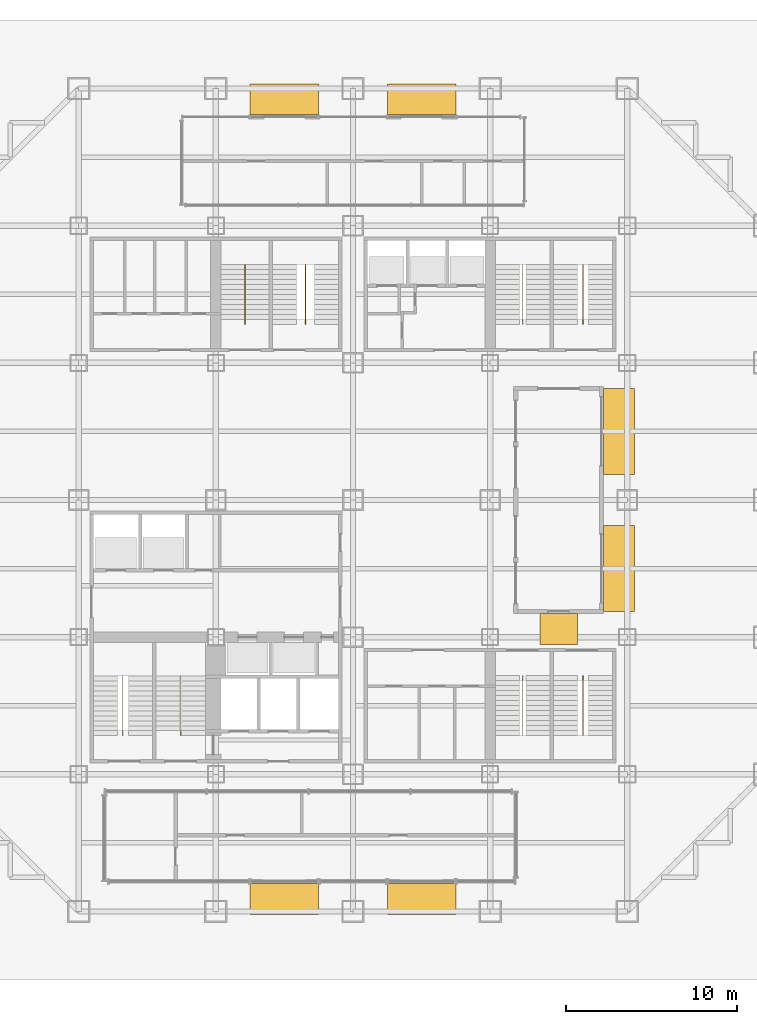
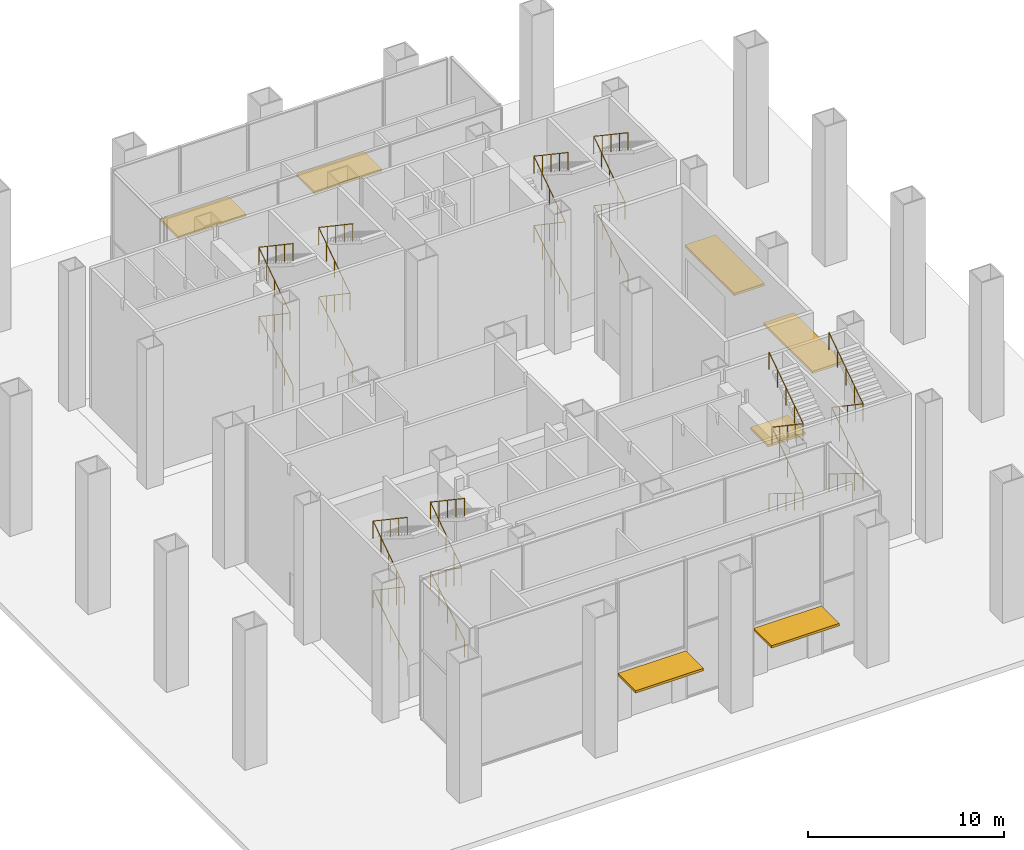
# One storey, part 13 of 14: 8 railings, 7 shading devices.
"""IFC4 building model written with IfcOpenShell, lengths in metres."""

from ifc_helpers import new_model, si_unit, direction, frame, origin, origin_2d, place, context, subcontext, project, spatial, rectangle, circle, extrude, material, layer, layer_set, type_object, element, save


model = new_model("IFC4")

# Units and contexts
model_context = context("Model", 3, precision=1e-05, world=origin(), true_north=direction((0.0, 1.0)))
body_context = subcontext(model_context, "Body", "Model", "MODEL_VIEW")
ifc_project = project(units=[si_unit("LENGTHUNIT", "METRE"), si_unit("AREAUNIT", "SQUARE_METRE"), si_unit("VOLUMEUNIT", "CUBIC_METRE"), si_unit("PLANEANGLEUNIT", "RADIAN"), si_unit("MASSUNIT", "GRAM", prefix="KILO")], contexts=[model_context])

# Site, building, storey
site_placement = place(None, origin())
site = spatial("IfcSite", under=ifc_project, at=site_placement, CompositionType="ELEMENT")
building_placement = place(site_placement, origin())
building = spatial("IfcBuilding", under=site, at=building_placement, Name="Immortelle Media Tower", CompositionType="ELEMENT")
storey_placement = place(building_placement, origin())
storey = spatial("IfcBuildingStorey", under=building, at=storey_placement, Name="G", CompositionType="ELEMENT", Elevation=0.0)

# Shading devices
ifc_material_1 = material(Name="Pale aluminium blade canopy", Category="aluminium")
ifc_layer = layer(ifc_material_1, 0.14990234375)
ifc_layer_set = layer_set([ifc_layer], Name="Pale aluminium blade canopy")
shading_device_type = type_object("IfcShadingDeviceType", Name="Entrance canopy", PredefinedType="AWNING", material=ifc_layer_set)
for number, where, z_axis, x_axis, name in (
    (1, (20.0, 0.72509765625, 2.85009765625), (0.0, 0.0, 1.0), (1.0, 0.0, 0.0), "Entrance canopy G-E01"),
    (2, (28.0, 0.72509765625, 2.85009765625), (0.0, 0.0, 1.0), (1.0, 0.0, 0.0), "Entrance canopy G-E02"),
    (3, (28.0, 47.375, 2.85009765625), (0.0, 0.0, 1.0), (1.0, 0.0, 0.0), "Entrance canopy G-E03"),
    (4, (20.0, 47.375, 2.85009765625), (0.0, 0.0, 1.0), (1.0, 0.0, 0.0), "Entrance canopy G-E04"),
):
    element("IfcShadingDevice", number, at=place(storey_placement, frame(where, z_axis=z_axis, x_axis=x_axis)), inside=storey, type_object=shading_device_type, Name=name, PredefinedType="AWNING", context=body_context, shape_type="SweptSolid", body=[
        extrude(rectangle(XDim=4.0, YDim=1.800048828125, at=origin_2d()), origin(), (0.0, 0.0, 1.0), 0.14990234375),
    ])
for number, where, z_axis, x_axis, name in (
    (5, (39.52490234375, 20.0, 4.800048828125), (0.0, 0.0, 1.0), (1.0, 0.0, 0.0), "Entrance canopy G-E05"),
    (6, (39.52490234375, 28.0, 4.800048828125), (0.0, 0.0, 1.0), (1.0, 0.0, 0.0), "Entrance canopy G-E06"),
):
    element("IfcShadingDevice", number, at=place(storey_placement, frame(where, z_axis=z_axis, x_axis=x_axis)), inside=storey, type_object=shading_device_type, Name=name, PredefinedType="AWNING", context=body_context, shape_type="SweptSolid", body=[
        extrude(rectangle(XDim=1.800048828125, YDim=5.0, at=origin_2d()), origin(), (0.0, 0.0, 1.0), 0.14990234375),
    ])
shading_device_placement = place(storey_placement, frame((36.0, 16.47509765625, 2.699951171875), z_axis=(0.0, 0.0, 1.0), x_axis=(1.0, 0.0, 0.0)))
element("IfcShadingDevice", 7, at=shading_device_placement, inside=storey, type_object=shading_device_type, Name="Entrance canopy G-E07", PredefinedType="AWNING", context=body_context, shape_type="SweptSolid", body=[
    extrude(rectangle(XDim=2.199951171875, YDim=1.800048828125, at=origin_2d()), origin(), (0.0, 0.0, 1.0), 0.14990234375),
])

# Railings
ifc_material_2 = material(Name="Stainless steel AISI 316", Category="steel")
railing_type = type_object("IfcRailingType", Name="Stair guard 1100", PredefinedType="GUARDRAIL", material=ifc_material_2)
railing_1_placement = place(storey_placement, frame((10.574951171875, 10.25, 0.179931640625)))
element("IfcRailing", 8, at=railing_1_placement, inside=storey, type_object=railing_type, Name="Stair guard SW1", PredefinedType="GUARDRAIL", context=body_context, shape_type="SweptSolid", body=[
    extrude(circle(Radius=0.02392578125, at=origin_2d()), frame((0.0, 0.0, 1.076171875), z_axis=(0.0, 0.849621746706, 0.527392536471), x_axis=(-1.0, 0.0, 0.0)), (0.0, 0.0, 1.0), 4.095947265625),
    extrude(circle(Radius=0.02392578125, at=origin_2d()), frame((0.0, 3.47998046875, 3.236328125), z_axis=(0.0, -0.828041123984, 0.56066736751), x_axis=(1.0, 0.0, 0.0)), (0.0, 0.0, 1.0), 3.852294921875),
    extrude(circle(Radius=0.02392578125, at=origin_2d()), frame((0.0, 0.2900390625, 5.39599609375), z_axis=(0.0, 0.828041123984, 0.56066736751), x_axis=(-1.0, 0.0, 0.0)), (0.0, 0.0, 1.0), 3.852294921875),
    extrude(circle(Radius=0.02392578125, at=origin_2d()), frame((0.0, 3.47998046875, 7.55615234375), z_axis=(0.0, -0.829831414294, 0.558014178898), x_axis=(1.0, 0.0, 0.0)), (0.0, 0.0, 1.0), 4.193603515625),
    extrude(circle(Radius=0.02099609375, at=origin_2d()), origin(), (0.0, 0.0, 1.0), 1.052001953125),
    extrude(circle(Radius=0.02099609375, at=origin_2d()), frame((0.0, 0.8701171875, 0.5400390625)), (0.0, 0.0, 1.0), 1.052001953125),
    extrude(circle(Radius=0.02099609375, at=origin_2d()), frame((0.0, 1.739990234375, 1.080078125)), (0.0, 0.0, 1.0), 1.052001953125),
    extrude(circle(Radius=0.02099609375, at=origin_2d()), frame((0.0, 2.60986328125, 1.6201171875)), (0.0, 0.0, 1.0), 1.052001953125),
    extrude(circle(Radius=0.02099609375, at=origin_2d()), frame((0.0, 3.47998046875, 2.16015625)), (0.0, 0.0, 1.0), 1.052001953125),
    extrude(circle(Radius=0.02099609375, at=origin_2d()), frame((0.0, 2.6826171875, 2.7001953125)), (0.0, 0.0, 1.0), 1.052001953125),
    extrude(circle(Radius=0.02099609375, at=origin_2d()), frame((0.0, 1.885009765625, 3.240234375)), (0.0, 0.0, 1.0), 1.052001953125),
    extrude(circle(Radius=0.02099609375, at=origin_2d()), frame((0.0, 1.08740234375, 3.780029296875)), (0.0, 0.0, 1.0), 1.052001953125),
    extrude(circle(Radius=0.02099609375, at=origin_2d()), frame((0.0, 0.2900390625, 4.320068359375)), (0.0, 0.0, 1.0), 1.052001953125),
    extrude(circle(Radius=0.02099609375, at=origin_2d()), frame((0.0, 1.08740234375, 4.860107421875)), (0.0, 0.0, 1.0), 1.052001953125),
    extrude(circle(Radius=0.02099609375, at=origin_2d()), frame((0.0, 1.885009765625, 5.39990234375)), (0.0, 0.0, 1.0), 1.052001953125),
    extrude(circle(Radius=0.02099609375, at=origin_2d()), frame((0.0, 2.6826171875, 5.93994140625)), (0.0, 0.0, 1.0), 1.052001953125),
    extrude(circle(Radius=0.02099609375, at=origin_2d()), frame((0.0, 3.47998046875, 6.47998046875)), (0.0, 0.0, 1.0), 1.052001953125),
    extrude(circle(Radius=0.02099609375, at=origin_2d()), frame((0.0, 2.60986328125, 7.06494140625)), (0.0, 0.0, 1.0), 1.052001953125),
    extrude(circle(Radius=0.02099609375, at=origin_2d()), frame((0.0, 1.739990234375, 7.64990234375)), (0.0, 0.0, 1.0), 1.052001953125),
    extrude(circle(Radius=0.02099609375, at=origin_2d()), frame((0.0, 0.8701171875, 8.235107421875)), (0.0, 0.0, 1.0), 1.052001953125),
    extrude(circle(Radius=0.02099609375, at=origin_2d()), frame((0.0, 0.0, 8.820068359375)), (0.0, 0.0, 1.0), 1.052001953125),
])
railing_2_placement = place(storey_placement, frame((13.949951171875, 10.25, 0.179931640625)))
element("IfcRailing", 9, at=railing_2_placement, inside=storey, type_object=railing_type, Name="Stair guard SW2", PredefinedType="GUARDRAIL", context=body_context, shape_type="SweptSolid", body=[
    extrude(circle(Radius=0.02392578125, at=origin_2d()), frame((0.0, 0.0, 1.076171875), z_axis=(0.0, 0.849621746706, 0.527392536471), x_axis=(-1.0, 0.0, 0.0)), (0.0, 0.0, 1.0), 4.095947265625),
    extrude(circle(Radius=0.02392578125, at=origin_2d()), frame((0.0, 3.47998046875, 3.236328125), z_axis=(0.0, -0.828041123984, 0.56066736751), x_axis=(1.0, 0.0, 0.0)), (0.0, 0.0, 1.0), 3.852294921875),
    extrude(circle(Radius=0.02392578125, at=origin_2d()), frame((0.0, 0.2900390625, 5.39599609375), z_axis=(0.0, 0.828041123984, 0.56066736751), x_axis=(-1.0, 0.0, 0.0)), (0.0, 0.0, 1.0), 3.852294921875),
    extrude(circle(Radius=0.02392578125, at=origin_2d()), frame((0.0, 3.47998046875, 7.55615234375), z_axis=(0.0, -0.829831414294, 0.558014178898), x_axis=(1.0, 0.0, 0.0)), (0.0, 0.0, 1.0), 4.193603515625),
    extrude(circle(Radius=0.02099609375, at=origin_2d()), origin(), (0.0, 0.0, 1.0), 1.052001953125),
    extrude(circle(Radius=0.02099609375, at=origin_2d()), frame((0.0, 0.8701171875, 0.5400390625)), (0.0, 0.0, 1.0), 1.052001953125),
    extrude(circle(Radius=0.02099609375, at=origin_2d()), frame((0.0, 1.739990234375, 1.080078125)), (0.0, 0.0, 1.0), 1.052001953125),
    extrude(circle(Radius=0.02099609375, at=origin_2d()), frame((0.0, 2.60986328125, 1.6201171875)), (0.0, 0.0, 1.0), 1.052001953125),
    extrude(circle(Radius=0.02099609375, at=origin_2d()), frame((0.0, 3.47998046875, 2.16015625)), (0.0, 0.0, 1.0), 1.052001953125),
    extrude(circle(Radius=0.02099609375, at=origin_2d()), frame((0.0, 2.6826171875, 2.7001953125)), (0.0, 0.0, 1.0), 1.052001953125),
    extrude(circle(Radius=0.02099609375, at=origin_2d()), frame((0.0, 1.885009765625, 3.240234375)), (0.0, 0.0, 1.0), 1.052001953125),
    extrude(circle(Radius=0.02099609375, at=origin_2d()), frame((0.0, 1.08740234375, 3.780029296875)), (0.0, 0.0, 1.0), 1.052001953125),
    extrude(circle(Radius=0.02099609375, at=origin_2d()), frame((0.0, 0.2900390625, 4.320068359375)), (0.0, 0.0, 1.0), 1.052001953125),
    extrude(circle(Radius=0.02099609375, at=origin_2d()), frame((0.0, 1.08740234375, 4.860107421875)), (0.0, 0.0, 1.0), 1.052001953125),
    extrude(circle(Radius=0.02099609375, at=origin_2d()), frame((0.0, 1.885009765625, 5.39990234375)), (0.0, 0.0, 1.0), 1.052001953125),
    extrude(circle(Radius=0.02099609375, at=origin_2d()), frame((0.0, 2.6826171875, 5.93994140625)), (0.0, 0.0, 1.0), 1.052001953125),
    extrude(circle(Radius=0.02099609375, at=origin_2d()), frame((0.0, 3.47998046875, 6.47998046875)), (0.0, 0.0, 1.0), 1.052001953125),
    extrude(circle(Radius=0.02099609375, at=origin_2d()), frame((0.0, 2.60986328125, 7.06494140625)), (0.0, 0.0, 1.0), 1.052001953125),
    extrude(circle(Radius=0.02099609375, at=origin_2d()), frame((0.0, 1.739990234375, 7.64990234375)), (0.0, 0.0, 1.0), 1.052001953125),
    extrude(circle(Radius=0.02099609375, at=origin_2d()), frame((0.0, 0.8701171875, 8.235107421875)), (0.0, 0.0, 1.0), 1.052001953125),
    extrude(circle(Radius=0.02099609375, at=origin_2d()), frame((0.0, 0.0, 8.820068359375)), (0.0, 0.0, 1.0), 1.052001953125),
])
railing_3_placement = place(storey_placement, frame((33.89990234375, 13.75, 0.179931640625)))
element("IfcRailing", 10, at=railing_3_placement, inside=storey, type_object=railing_type, Name="Stair guard SE1", PredefinedType="GUARDRAIL", context=body_context, shape_type="SweptSolid", body=[
    extrude(circle(Radius=0.02392578125, at=origin_2d()), frame((0.0, 0.0, 1.076171875), z_axis=(0.0, -0.849621746706, 0.527392536471), x_axis=(1.0, 0.0, 0.0)), (0.0, 0.0, 1.0), 4.095947265625),
    extrude(circle(Radius=0.02392578125, at=origin_2d()), frame((0.0, -3.47998046875, 3.236328125), z_axis=(0.0, 0.828041123984, 0.56066736751), x_axis=(-1.0, 0.0, 0.0)), (0.0, 0.0, 1.0), 3.852294921875),
    extrude(circle(Radius=0.02392578125, at=origin_2d()), frame((0.0, -0.2900390625, 5.39599609375), z_axis=(0.0, -0.828041123984, 0.56066736751), x_axis=(1.0, 0.0, 0.0)), (0.0, 0.0, 1.0), 3.852294921875),
    extrude(circle(Radius=0.02392578125, at=origin_2d()), frame((0.0, -3.47998046875, 7.55615234375), z_axis=(0.0, 0.829831414294, 0.558014178898), x_axis=(-1.0, 0.0, 0.0)), (0.0, 0.0, 1.0), 4.193603515625),
    extrude(circle(Radius=0.02099609375, at=origin_2d()), origin(), (0.0, 0.0, 1.0), 1.052001953125),
    extrude(circle(Radius=0.02099609375, at=origin_2d()), frame((0.0, -0.8701171875, 0.5400390625)), (0.0, 0.0, 1.0), 1.052001953125),
    extrude(circle(Radius=0.02099609375, at=origin_2d()), frame((0.0, -1.739990234375, 1.080078125)), (0.0, 0.0, 1.0), 1.052001953125),
    extrude(circle(Radius=0.02099609375, at=origin_2d()), frame((0.0, -2.60986328125, 1.6201171875)), (0.0, 0.0, 1.0), 1.052001953125),
    extrude(circle(Radius=0.02099609375, at=origin_2d()), frame((0.0, -3.47998046875, 2.16015625)), (0.0, 0.0, 1.0), 1.052001953125),
    extrude(circle(Radius=0.02099609375, at=origin_2d()), frame((0.0, -2.6826171875, 2.7001953125)), (0.0, 0.0, 1.0), 1.052001953125),
    extrude(circle(Radius=0.02099609375, at=origin_2d()), frame((0.0, -1.885009765625, 3.240234375)), (0.0, 0.0, 1.0), 1.052001953125),
    extrude(circle(Radius=0.02099609375, at=origin_2d()), frame((0.0, -1.08740234375, 3.780029296875)), (0.0, 0.0, 1.0), 1.052001953125),
    extrude(circle(Radius=0.02099609375, at=origin_2d()), frame((0.0, -0.2900390625, 4.320068359375)), (0.0, 0.0, 1.0), 1.052001953125),
    extrude(circle(Radius=0.02099609375, at=origin_2d()), frame((0.0, -1.08740234375, 4.860107421875)), (0.0, 0.0, 1.0), 1.052001953125),
    extrude(circle(Radius=0.02099609375, at=origin_2d()), frame((0.0, -1.885009765625, 5.39990234375)), (0.0, 0.0, 1.0), 1.052001953125),
    extrude(circle(Radius=0.02099609375, at=origin_2d()), frame((0.0, -2.6826171875, 5.93994140625)), (0.0, 0.0, 1.0), 1.052001953125),
    extrude(circle(Radius=0.02099609375, at=origin_2d()), frame((0.0, -3.47998046875, 6.47998046875)), (0.0, 0.0, 1.0), 1.052001953125),
    extrude(circle(Radius=0.02099609375, at=origin_2d()), frame((0.0, -2.60986328125, 7.06494140625)), (0.0, 0.0, 1.0), 1.052001953125),
    extrude(circle(Radius=0.02099609375, at=origin_2d()), frame((0.0, -1.739990234375, 7.64990234375)), (0.0, 0.0, 1.0), 1.052001953125),
    extrude(circle(Radius=0.02099609375, at=origin_2d()), frame((0.0, -0.8701171875, 8.235107421875)), (0.0, 0.0, 1.0), 1.052001953125),
    extrude(circle(Radius=0.02099609375, at=origin_2d()), frame((0.0, 0.0, 8.820068359375)), (0.0, 0.0, 1.0), 1.052001953125),
])
railing_4_placement = place(storey_placement, frame((37.425048828125, 13.75, 0.179931640625)))
element("IfcRailing", 11, at=railing_4_placement, inside=storey, type_object=railing_type, Name="Stair guard SE2", PredefinedType="GUARDRAIL", context=body_context, shape_type="SweptSolid", body=[
    extrude(circle(Radius=0.02392578125, at=origin_2d()), frame((0.0, 0.0, 1.076171875), z_axis=(0.0, -0.849621746706, 0.527392536471), x_axis=(1.0, 0.0, 0.0)), (0.0, 0.0, 1.0), 4.095947265625),
    extrude(circle(Radius=0.02392578125, at=origin_2d()), frame((0.0, -3.47998046875, 3.236328125), z_axis=(0.0, 0.828041123984, 0.56066736751), x_axis=(-1.0, 0.0, 0.0)), (0.0, 0.0, 1.0), 3.852294921875),
    extrude(circle(Radius=0.02392578125, at=origin_2d()), frame((0.0, -0.2900390625, 5.39599609375), z_axis=(0.0, -0.828041123984, 0.56066736751), x_axis=(1.0, 0.0, 0.0)), (0.0, 0.0, 1.0), 3.852294921875),
    extrude(circle(Radius=0.02392578125, at=origin_2d()), frame((0.0, -3.47998046875, 7.55615234375), z_axis=(0.0, 0.829831414294, 0.558014178898), x_axis=(-1.0, 0.0, 0.0)), (0.0, 0.0, 1.0), 4.193603515625),
    extrude(circle(Radius=0.02099609375, at=origin_2d()), origin(), (0.0, 0.0, 1.0), 1.052001953125),
    extrude(circle(Radius=0.02099609375, at=origin_2d()), frame((0.0, -0.8701171875, 0.5400390625)), (0.0, 0.0, 1.0), 1.052001953125),
    extrude(circle(Radius=0.02099609375, at=origin_2d()), frame((0.0, -1.739990234375, 1.080078125)), (0.0, 0.0, 1.0), 1.052001953125),
    extrude(circle(Radius=0.02099609375, at=origin_2d()), frame((0.0, -2.60986328125, 1.6201171875)), (0.0, 0.0, 1.0), 1.052001953125),
    extrude(circle(Radius=0.02099609375, at=origin_2d()), frame((0.0, -3.47998046875, 2.16015625)), (0.0, 0.0, 1.0), 1.052001953125),
    extrude(circle(Radius=0.02099609375, at=origin_2d()), frame((0.0, -2.6826171875, 2.7001953125)), (0.0, 0.0, 1.0), 1.052001953125),
    extrude(circle(Radius=0.02099609375, at=origin_2d()), frame((0.0, -1.885009765625, 3.240234375)), (0.0, 0.0, 1.0), 1.052001953125),
    extrude(circle(Radius=0.02099609375, at=origin_2d()), frame((0.0, -1.08740234375, 3.780029296875)), (0.0, 0.0, 1.0), 1.052001953125),
    extrude(circle(Radius=0.02099609375, at=origin_2d()), frame((0.0, -0.2900390625, 4.320068359375)), (0.0, 0.0, 1.0), 1.052001953125),
    extrude(circle(Radius=0.02099609375, at=origin_2d()), frame((0.0, -1.08740234375, 4.860107421875)), (0.0, 0.0, 1.0), 1.052001953125),
    extrude(circle(Radius=0.02099609375, at=origin_2d()), frame((0.0, -1.885009765625, 5.39990234375)), (0.0, 0.0, 1.0), 1.052001953125),
    extrude(circle(Radius=0.02099609375, at=origin_2d()), frame((0.0, -2.6826171875, 5.93994140625)), (0.0, 0.0, 1.0), 1.052001953125),
    extrude(circle(Radius=0.02099609375, at=origin_2d()), frame((0.0, -3.47998046875, 6.47998046875)), (0.0, 0.0, 1.0), 1.052001953125),
    extrude(circle(Radius=0.02099609375, at=origin_2d()), frame((0.0, -2.60986328125, 7.06494140625)), (0.0, 0.0, 1.0), 1.052001953125),
    extrude(circle(Radius=0.02099609375, at=origin_2d()), frame((0.0, -1.739990234375, 7.64990234375)), (0.0, 0.0, 1.0), 1.052001953125),
    extrude(circle(Radius=0.02099609375, at=origin_2d()), frame((0.0, -0.8701171875, 8.235107421875)), (0.0, 0.0, 1.0), 1.052001953125),
    extrude(circle(Radius=0.02099609375, at=origin_2d()), frame((0.0, 0.0, 8.820068359375)), (0.0, 0.0, 1.0), 1.052001953125),
])
railing_5_placement = place(storey_placement, frame((17.699951171875, 34.25, 0.179931640625)))
element("IfcRailing", 12, at=railing_5_placement, inside=storey, type_object=railing_type, Name="Stair guard NW1", PredefinedType="GUARDRAIL", context=body_context, shape_type="SweptSolid", body=[
    extrude(circle(Radius=0.02392578125, at=origin_2d()), frame((0.0, 0.0, 1.076171875), z_axis=(0.0, 0.849621746706, 0.527392536471), x_axis=(-1.0, 0.0, 0.0)), (0.0, 0.0, 1.0), 4.095947265625),
    extrude(circle(Radius=0.02392578125, at=origin_2d()), frame((0.0, 3.47998046875, 3.236328125), z_axis=(0.0, -0.828041123984, 0.56066736751), x_axis=(1.0, 0.0, 0.0)), (0.0, 0.0, 1.0), 3.852294921875),
    extrude(circle(Radius=0.02392578125, at=origin_2d()), frame((0.0, 0.2900390625, 5.39599609375), z_axis=(0.0, 0.828041123984, 0.56066736751), x_axis=(-1.0, 0.0, 0.0)), (0.0, 0.0, 1.0), 3.852294921875),
    extrude(circle(Radius=0.02392578125, at=origin_2d()), frame((0.0, 3.47998046875, 7.55615234375), z_axis=(0.0, -0.829831414294, 0.558014178898), x_axis=(1.0, 0.0, 0.0)), (0.0, 0.0, 1.0), 4.193603515625),
    extrude(circle(Radius=0.02099609375, at=origin_2d()), origin(), (0.0, 0.0, 1.0), 1.052001953125),
    extrude(circle(Radius=0.02099609375, at=origin_2d()), frame((0.0, 0.8701171875, 0.5400390625)), (0.0, 0.0, 1.0), 1.052001953125),
    extrude(circle(Radius=0.02099609375, at=origin_2d()), frame((0.0, 1.739990234375, 1.080078125)), (0.0, 0.0, 1.0), 1.052001953125),
    extrude(circle(Radius=0.02099609375, at=origin_2d()), frame((0.0, 2.60986328125, 1.6201171875)), (0.0, 0.0, 1.0), 1.052001953125),
    extrude(circle(Radius=0.02099609375, at=origin_2d()), frame((0.0, 3.47998046875, 2.16015625)), (0.0, 0.0, 1.0), 1.052001953125),
    extrude(circle(Radius=0.02099609375, at=origin_2d()), frame((0.0, 2.6826171875, 2.7001953125)), (0.0, 0.0, 1.0), 1.052001953125),
    extrude(circle(Radius=0.02099609375, at=origin_2d()), frame((0.0, 1.885009765625, 3.240234375)), (0.0, 0.0, 1.0), 1.052001953125),
    extrude(circle(Radius=0.02099609375, at=origin_2d()), frame((0.0, 1.08740234375, 3.780029296875)), (0.0, 0.0, 1.0), 1.052001953125),
    extrude(circle(Radius=0.02099609375, at=origin_2d()), frame((0.0, 0.2900390625, 4.320068359375)), (0.0, 0.0, 1.0), 1.052001953125),
    extrude(circle(Radius=0.02099609375, at=origin_2d()), frame((0.0, 1.08740234375, 4.860107421875)), (0.0, 0.0, 1.0), 1.052001953125),
    extrude(circle(Radius=0.02099609375, at=origin_2d()), frame((0.0, 1.885009765625, 5.39990234375)), (0.0, 0.0, 1.0), 1.052001953125),
    extrude(circle(Radius=0.02099609375, at=origin_2d()), frame((0.0, 2.6826171875, 5.93994140625)), (0.0, 0.0, 1.0), 1.052001953125),
    extrude(circle(Radius=0.02099609375, at=origin_2d()), frame((0.0, 3.47998046875, 6.47998046875)), (0.0, 0.0, 1.0), 1.052001953125),
    extrude(circle(Radius=0.02099609375, at=origin_2d()), frame((0.0, 2.60986328125, 7.06494140625)), (0.0, 0.0, 1.0), 1.052001953125),
    extrude(circle(Radius=0.02099609375, at=origin_2d()), frame((0.0, 1.739990234375, 7.64990234375)), (0.0, 0.0, 1.0), 1.052001953125),
    extrude(circle(Radius=0.02099609375, at=origin_2d()), frame((0.0, 0.8701171875, 8.235107421875)), (0.0, 0.0, 1.0), 1.052001953125),
    extrude(circle(Radius=0.02099609375, at=origin_2d()), frame((0.0, 0.0, 8.820068359375)), (0.0, 0.0, 1.0), 1.052001953125),
])
railing_6_placement = place(storey_placement, frame((21.22509765625, 34.25, 0.179931640625)))
element("IfcRailing", 13, at=railing_6_placement, inside=storey, type_object=railing_type, Name="Stair guard NW2", PredefinedType="GUARDRAIL", context=body_context, shape_type="SweptSolid", body=[
    extrude(circle(Radius=0.02392578125, at=origin_2d()), frame((0.0, 0.0, 1.076171875), z_axis=(0.0, 0.849621746706, 0.527392536471), x_axis=(-1.0, 0.0, 0.0)), (0.0, 0.0, 1.0), 4.095947265625),
    extrude(circle(Radius=0.02392578125, at=origin_2d()), frame((0.0, 3.47998046875, 3.236328125), z_axis=(0.0, -0.828041123984, 0.56066736751), x_axis=(1.0, 0.0, 0.0)), (0.0, 0.0, 1.0), 3.852294921875),
    extrude(circle(Radius=0.02392578125, at=origin_2d()), frame((0.0, 0.2900390625, 5.39599609375), z_axis=(0.0, 0.828041123984, 0.56066736751), x_axis=(-1.0, 0.0, 0.0)), (0.0, 0.0, 1.0), 3.852294921875),
    extrude(circle(Radius=0.02392578125, at=origin_2d()), frame((0.0, 3.47998046875, 7.55615234375), z_axis=(0.0, -0.829831414294, 0.558014178898), x_axis=(1.0, 0.0, 0.0)), (0.0, 0.0, 1.0), 4.193603515625),
    extrude(circle(Radius=0.02099609375, at=origin_2d()), origin(), (0.0, 0.0, 1.0), 1.052001953125),
    extrude(circle(Radius=0.02099609375, at=origin_2d()), frame((0.0, 0.8701171875, 0.5400390625)), (0.0, 0.0, 1.0), 1.052001953125),
    extrude(circle(Radius=0.02099609375, at=origin_2d()), frame((0.0, 1.739990234375, 1.080078125)), (0.0, 0.0, 1.0), 1.052001953125),
    extrude(circle(Radius=0.02099609375, at=origin_2d()), frame((0.0, 2.60986328125, 1.6201171875)), (0.0, 0.0, 1.0), 1.052001953125),
    extrude(circle(Radius=0.02099609375, at=origin_2d()), frame((0.0, 3.47998046875, 2.16015625)), (0.0, 0.0, 1.0), 1.052001953125),
    extrude(circle(Radius=0.02099609375, at=origin_2d()), frame((0.0, 2.6826171875, 2.7001953125)), (0.0, 0.0, 1.0), 1.052001953125),
    extrude(circle(Radius=0.02099609375, at=origin_2d()), frame((0.0, 1.885009765625, 3.240234375)), (0.0, 0.0, 1.0), 1.052001953125),
    extrude(circle(Radius=0.02099609375, at=origin_2d()), frame((0.0, 1.08740234375, 3.780029296875)), (0.0, 0.0, 1.0), 1.052001953125),
    extrude(circle(Radius=0.02099609375, at=origin_2d()), frame((0.0, 0.2900390625, 4.320068359375)), (0.0, 0.0, 1.0), 1.052001953125),
    extrude(circle(Radius=0.02099609375, at=origin_2d()), frame((0.0, 1.08740234375, 4.860107421875)), (0.0, 0.0, 1.0), 1.052001953125),
    extrude(circle(Radius=0.02099609375, at=origin_2d()), frame((0.0, 1.885009765625, 5.39990234375)), (0.0, 0.0, 1.0), 1.052001953125),
    extrude(circle(Radius=0.02099609375, at=origin_2d()), frame((0.0, 2.6826171875, 5.93994140625)), (0.0, 0.0, 1.0), 1.052001953125),
    extrude(circle(Radius=0.02099609375, at=origin_2d()), frame((0.0, 3.47998046875, 6.47998046875)), (0.0, 0.0, 1.0), 1.052001953125),
    extrude(circle(Radius=0.02099609375, at=origin_2d()), frame((0.0, 2.60986328125, 7.06494140625)), (0.0, 0.0, 1.0), 1.052001953125),
    extrude(circle(Radius=0.02099609375, at=origin_2d()), frame((0.0, 1.739990234375, 7.64990234375)), (0.0, 0.0, 1.0), 1.052001953125),
    extrude(circle(Radius=0.02099609375, at=origin_2d()), frame((0.0, 0.8701171875, 8.235107421875)), (0.0, 0.0, 1.0), 1.052001953125),
    extrude(circle(Radius=0.02099609375, at=origin_2d()), frame((0.0, 0.0, 8.820068359375)), (0.0, 0.0, 1.0), 1.052001953125),
])
railing_7_placement = place(storey_placement, frame((33.89990234375, 34.25, 0.179931640625)))
element("IfcRailing", 14, at=railing_7_placement, inside=storey, type_object=railing_type, Name="Stair guard NE1", PredefinedType="GUARDRAIL", context=body_context, shape_type="SweptSolid", body=[
    extrude(circle(Radius=0.02392578125, at=origin_2d()), frame((0.0, 0.0, 1.076171875), z_axis=(0.0, 0.849621746706, 0.527392536471), x_axis=(-1.0, 0.0, 0.0)), (0.0, 0.0, 1.0), 4.095947265625),
    extrude(circle(Radius=0.02392578125, at=origin_2d()), frame((0.0, 3.47998046875, 3.236328125), z_axis=(0.0, -0.828041123984, 0.56066736751), x_axis=(1.0, 0.0, 0.0)), (0.0, 0.0, 1.0), 3.852294921875),
    extrude(circle(Radius=0.02392578125, at=origin_2d()), frame((0.0, 0.2900390625, 5.39599609375), z_axis=(0.0, 0.828041123984, 0.56066736751), x_axis=(-1.0, 0.0, 0.0)), (0.0, 0.0, 1.0), 3.852294921875),
    extrude(circle(Radius=0.02392578125, at=origin_2d()), frame((0.0, 3.47998046875, 7.55615234375), z_axis=(0.0, -0.829831414294, 0.558014178898), x_axis=(1.0, 0.0, 0.0)), (0.0, 0.0, 1.0), 4.193603515625),
    extrude(circle(Radius=0.02099609375, at=origin_2d()), origin(), (0.0, 0.0, 1.0), 1.052001953125),
    extrude(circle(Radius=0.02099609375, at=origin_2d()), frame((0.0, 0.8701171875, 0.5400390625)), (0.0, 0.0, 1.0), 1.052001953125),
    extrude(circle(Radius=0.02099609375, at=origin_2d()), frame((0.0, 1.739990234375, 1.080078125)), (0.0, 0.0, 1.0), 1.052001953125),
    extrude(circle(Radius=0.02099609375, at=origin_2d()), frame((0.0, 2.60986328125, 1.6201171875)), (0.0, 0.0, 1.0), 1.052001953125),
    extrude(circle(Radius=0.02099609375, at=origin_2d()), frame((0.0, 3.47998046875, 2.16015625)), (0.0, 0.0, 1.0), 1.052001953125),
    extrude(circle(Radius=0.02099609375, at=origin_2d()), frame((0.0, 2.6826171875, 2.7001953125)), (0.0, 0.0, 1.0), 1.052001953125),
    extrude(circle(Radius=0.02099609375, at=origin_2d()), frame((0.0, 1.885009765625, 3.240234375)), (0.0, 0.0, 1.0), 1.052001953125),
    extrude(circle(Radius=0.02099609375, at=origin_2d()), frame((0.0, 1.08740234375, 3.780029296875)), (0.0, 0.0, 1.0), 1.052001953125),
    extrude(circle(Radius=0.02099609375, at=origin_2d()), frame((0.0, 0.2900390625, 4.320068359375)), (0.0, 0.0, 1.0), 1.052001953125),
    extrude(circle(Radius=0.02099609375, at=origin_2d()), frame((0.0, 1.08740234375, 4.860107421875)), (0.0, 0.0, 1.0), 1.052001953125),
    extrude(circle(Radius=0.02099609375, at=origin_2d()), frame((0.0, 1.885009765625, 5.39990234375)), (0.0, 0.0, 1.0), 1.052001953125),
    extrude(circle(Radius=0.02099609375, at=origin_2d()), frame((0.0, 2.6826171875, 5.93994140625)), (0.0, 0.0, 1.0), 1.052001953125),
    extrude(circle(Radius=0.02099609375, at=origin_2d()), frame((0.0, 3.47998046875, 6.47998046875)), (0.0, 0.0, 1.0), 1.052001953125),
    extrude(circle(Radius=0.02099609375, at=origin_2d()), frame((0.0, 2.60986328125, 7.06494140625)), (0.0, 0.0, 1.0), 1.052001953125),
    extrude(circle(Radius=0.02099609375, at=origin_2d()), frame((0.0, 1.739990234375, 7.64990234375)), (0.0, 0.0, 1.0), 1.052001953125),
    extrude(circle(Radius=0.02099609375, at=origin_2d()), frame((0.0, 0.8701171875, 8.235107421875)), (0.0, 0.0, 1.0), 1.052001953125),
    extrude(circle(Radius=0.02099609375, at=origin_2d()), frame((0.0, 0.0, 8.820068359375)), (0.0, 0.0, 1.0), 1.052001953125),
])
railing_8_placement = place(storey_placement, frame((37.425048828125, 34.25, 0.179931640625)))
element("IfcRailing", 15, at=railing_8_placement, inside=storey, type_object=railing_type, Name="Stair guard NE2", PredefinedType="GUARDRAIL", context=body_context, shape_type="SweptSolid", body=[
    extrude(circle(Radius=0.02392578125, at=origin_2d()), frame((0.0, 0.0, 1.076171875), z_axis=(0.0, 0.849621746706, 0.527392536471), x_axis=(-1.0, 0.0, 0.0)), (0.0, 0.0, 1.0), 4.095947265625),
    extrude(circle(Radius=0.02392578125, at=origin_2d()), frame((0.0, 3.47998046875, 3.236328125), z_axis=(0.0, -0.828041123984, 0.56066736751), x_axis=(1.0, 0.0, 0.0)), (0.0, 0.0, 1.0), 3.852294921875),
    extrude(circle(Radius=0.02392578125, at=origin_2d()), frame((0.0, 0.2900390625, 5.39599609375), z_axis=(0.0, 0.828041123984, 0.56066736751), x_axis=(-1.0, 0.0, 0.0)), (0.0, 0.0, 1.0), 3.852294921875),
    extrude(circle(Radius=0.02392578125, at=origin_2d()), frame((0.0, 3.47998046875, 7.55615234375), z_axis=(0.0, -0.829831414294, 0.558014178898), x_axis=(1.0, 0.0, 0.0)), (0.0, 0.0, 1.0), 4.193603515625),
    extrude(circle(Radius=0.02099609375, at=origin_2d()), origin(), (0.0, 0.0, 1.0), 1.052001953125),
    extrude(circle(Radius=0.02099609375, at=origin_2d()), frame((0.0, 0.8701171875, 0.5400390625)), (0.0, 0.0, 1.0), 1.052001953125),
    extrude(circle(Radius=0.02099609375, at=origin_2d()), frame((0.0, 1.739990234375, 1.080078125)), (0.0, 0.0, 1.0), 1.052001953125),
    extrude(circle(Radius=0.02099609375, at=origin_2d()), frame((0.0, 2.60986328125, 1.6201171875)), (0.0, 0.0, 1.0), 1.052001953125),
    extrude(circle(Radius=0.02099609375, at=origin_2d()), frame((0.0, 3.47998046875, 2.16015625)), (0.0, 0.0, 1.0), 1.052001953125),
    extrude(circle(Radius=0.02099609375, at=origin_2d()), frame((0.0, 2.6826171875, 2.7001953125)), (0.0, 0.0, 1.0), 1.052001953125),
    extrude(circle(Radius=0.02099609375, at=origin_2d()), frame((0.0, 1.885009765625, 3.240234375)), (0.0, 0.0, 1.0), 1.052001953125),
    extrude(circle(Radius=0.02099609375, at=origin_2d()), frame((0.0, 1.08740234375, 3.780029296875)), (0.0, 0.0, 1.0), 1.052001953125),
    extrude(circle(Radius=0.02099609375, at=origin_2d()), frame((0.0, 0.2900390625, 4.320068359375)), (0.0, 0.0, 1.0), 1.052001953125),
    extrude(circle(Radius=0.02099609375, at=origin_2d()), frame((0.0, 1.08740234375, 4.860107421875)), (0.0, 0.0, 1.0), 1.052001953125),
    extrude(circle(Radius=0.02099609375, at=origin_2d()), frame((0.0, 1.885009765625, 5.39990234375)), (0.0, 0.0, 1.0), 1.052001953125),
    extrude(circle(Radius=0.02099609375, at=origin_2d()), frame((0.0, 2.6826171875, 5.93994140625)), (0.0, 0.0, 1.0), 1.052001953125),
    extrude(circle(Radius=0.02099609375, at=origin_2d()), frame((0.0, 3.47998046875, 6.47998046875)), (0.0, 0.0, 1.0), 1.052001953125),
    extrude(circle(Radius=0.02099609375, at=origin_2d()), frame((0.0, 2.60986328125, 7.06494140625)), (0.0, 0.0, 1.0), 1.052001953125),
    extrude(circle(Radius=0.02099609375, at=origin_2d()), frame((0.0, 1.739990234375, 7.64990234375)), (0.0, 0.0, 1.0), 1.052001953125),
    extrude(circle(Radius=0.02099609375, at=origin_2d()), frame((0.0, 0.8701171875, 8.235107421875)), (0.0, 0.0, 1.0), 1.052001953125),
    extrude(circle(Radius=0.02099609375, at=origin_2d()), frame((0.0, 0.0, 8.820068359375)), (0.0, 0.0, 1.0), 1.052001953125),
])

save(model, "model.ifc")
